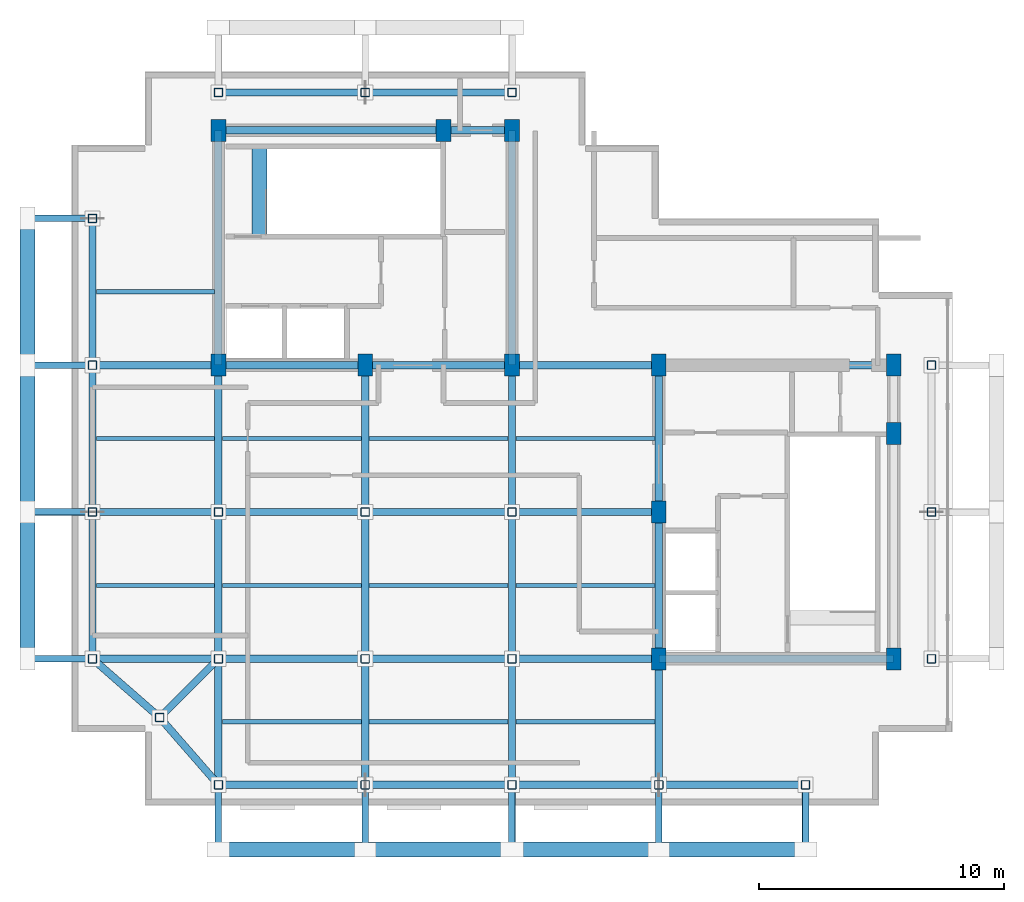
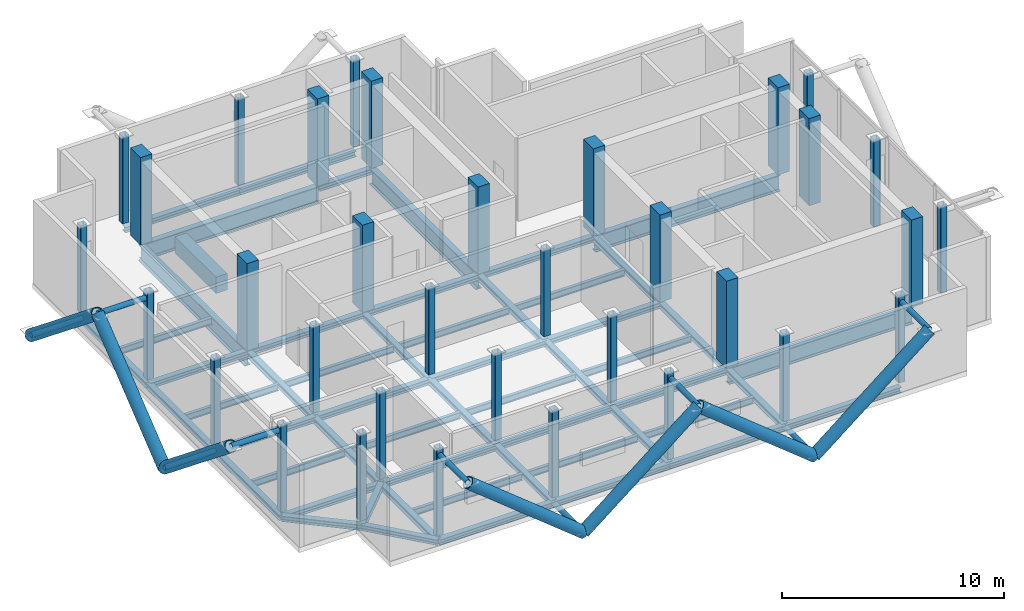
# One storey, part 1 of 6: 55 beams, 34 columns, 16 members.
"""IFC4 building model written with IfcOpenShell, lengths in metres."""

from ifc_helpers import new_model, si_unit, direction, frame, origin, origin_2d, place, context, subcontext, project, spatial, rectangle, hollow_rectangle, hollow_circle, i_section, extrude, material, material_profile, profile_set, type_object, element, save


model = new_model("IFC4")

# Units and contexts
model_context = context("Model", 3, precision=1e-05, world=origin(), true_north=direction((0.0, 1.0)))
body_context = subcontext(model_context, "Body", "Model", "MODEL_VIEW")
ifc_project = project(units=[si_unit("LENGTHUNIT", "METRE"), si_unit("AREAUNIT", "SQUARE_METRE"), si_unit("VOLUMEUNIT", "CUBIC_METRE"), si_unit("PLANEANGLEUNIT", "RADIAN"), si_unit("MASSUNIT", "GRAM", prefix="KILO"), si_unit("THERMODYNAMICTEMPERATUREUNIT", "KELVIN"), si_unit("POWERUNIT", "WATT")], contexts=[model_context])

# Site, building, storey
site_placement = place(None, origin())
site = spatial("IfcSite", under=ifc_project, at=site_placement, CompositionType="ELEMENT")
building_placement = place(site_placement, origin())
building = spatial("IfcBuilding", under=site, at=building_placement, Name="Svarakhadi Broadcast Tower", CompositionType="ELEMENT")
storey_placement = place(building_placement, frame((0.0, 0.0, 305.699951171875)))
storey = spatial("IfcBuildingStorey", under=building, at=storey_placement, Name="L77", CompositionType="ELEMENT", Elevation=305.699951171875)

# Columns
ifc_material_1 = material(Name="Concrete C50/60 (IS 456 M60)", Category="concrete")
ifc_material_profile_1 = material_profile(ifc_material_1, rectangle(XDim=0.60009765625, YDim=0.89990234375, at=origin_2d()), Name="RC 600x900")
ifc_profile_set_1 = profile_set([ifc_material_profile_1], Name="Concrete C50/60 (IS 456 M60)")
column_type_1 = type_object("IfcColumnType", Name="Col_RC600", PredefinedType="COLUMN", material=ifc_profile_set_1)
for number, where, z_axis, x_axis, name in (
    (1, (6.0, 18.0, 0.0), (0.0, 0.0, 1.0), (1.0, 0.0, 0.0), "L77 Column CW1"),
    (2, (12.0, 18.0, 0.0), (0.0, 0.0, 1.0), (1.0, 0.0, 0.0), "L77 Column CW2"),
    (3, (18.0, 18.0, 0.0), (0.0, 0.0, 1.0), (1.0, 0.0, 0.0), "L77 Column CW3"),
    (4, (6.0, 27.60009765625, 0.0), (0.0, 0.0, 1.0), (1.0, 0.0, 0.0), "L77 Column CW4"),
    (5, (15.199951171875, 27.60009765625, 0.0), (0.0, 0.0, 1.0), (1.0, 0.0, 0.0), "L77 Column CW5"),
    (6, (18.0, 27.60009765625, 0.0), (0.0, 0.0, 1.0), (1.0, 0.0, 0.0), "L77 Column CW6"),
    (7, (24.0, 6.0, 0.0), (0.0, 0.0, 1.0), (1.0, 0.0, 0.0), "L77 Column CE1"),
    (8, (24.0, 12.0, 0.0), (0.0, 0.0, 1.0), (1.0, 0.0, 0.0), "L77 Column CE2"),
    (9, (24.0, 18.0, 0.0), (0.0, 0.0, 1.0), (1.0, 0.0, 0.0), "L77 Column CE3"),
    (10, (33.60009765625, 6.0, 0.0), (0.0, 0.0, 1.0), (1.0, 0.0, 0.0), "L77 Column CE4"),
    (11, (33.60009765625, 15.199951171875, 0.0), (0.0, 0.0, 1.0), (1.0, 0.0, 0.0), "L77 Column CE5"),
    (12, (33.60009765625, 18.0, 0.0), (0.0, 0.0, 1.0), (1.0, 0.0, 0.0), "L77 Column CE6"),
):
    element("IfcColumn", number, at=place(storey_placement, frame(where, z_axis=z_axis, x_axis=x_axis)), inside=storey, type_object=column_type_1, Name=name, PredefinedType="COLUMN", context=body_context, shape_type="SweptSolid", body=[
        extrude(rectangle(XDim=0.60009765625, YDim=0.89990234375, at=origin_2d()), origin(), (0.0, 0.0, 1.0), 4.800048828125),
    ])
ifc_material_2 = material(Name="Steel S460ML (IS 2062 E450BR)", Category="steel")
ifc_material_profile_2 = material_profile(ifc_material_2, hollow_rectangle(XDim=0.35009765625, YDim=0.35009765625, WallThickness=0.01611328125, InnerFilletRadius=0.01611328125, OuterFilletRadius=0.031982421875, at=origin_2d()), Name="SHS 350x350x16")
ifc_profile_set_2 = profile_set([ifc_material_profile_2], Name="Steel S460ML (IS 2062 E450BR)")
column_type_2 = type_object("IfcColumnType", Name="Col_SHS350", PredefinedType="COLUMN", material=ifc_profile_set_2)
for number, where, z_axis, x_axis, name in (
    (13, (3.60009765625, 3.60009765625, 0.0), (0.0, 0.0, 1.0), (1.0, 0.0, 0.0), "L77 Column G01"),
    (14, (0.85009765625, 6.0, 0.0), (0.0, 0.0, 1.0), (1.0, 0.0, 0.0), "L77 Column G03"),
    (15, (0.85009765625, 12.0, 0.0), (0.0, 0.0, 1.0), (1.0, 0.0, 0.0), "L77 Column G04"),
    (16, (0.85009765625, 18.0, 0.0), (0.0, 0.0, 1.0), (1.0, 0.0, 0.0), "L77 Column G05"),
    (17, (0.85009765625, 24.0, 0.0), (0.0, 0.0, 1.0), (1.0, 0.0, 0.0), "L77 Column G06"),
    (18, (6.0, 0.85009765625, 0.0), (0.0, 0.0, 1.0), (1.0, 0.0, 0.0), "L77 Column G11"),
    (19, (6.0, 6.0, 0.0), (0.0, 0.0, 1.0), (1.0, 0.0, 0.0), "L77 Column G12"),
    (20, (6.0, 12.0, 0.0), (0.0, 0.0, 1.0), (1.0, 0.0, 0.0), "L77 Column G13"),
    (21, (6.0, 29.14990234375, 0.0), (0.0, 0.0, 1.0), (1.0, 0.0, 0.0), "L77 Column G14"),
    (22, (12.0, 0.85009765625, 0.0), (0.0, 0.0, 1.0), (1.0, 0.0, 0.0), "L77 Column G18"),
    (23, (12.0, 6.0, 0.0), (0.0, 0.0, 1.0), (1.0, 0.0, 0.0), "L77 Column G19"),
    (24, (12.0, 12.0, 0.0), (0.0, 0.0, 1.0), (1.0, 0.0, 0.0), "L77 Column G20"),
    (25, (12.0, 29.14990234375, 0.0), (0.0, 0.0, 1.0), (1.0, 0.0, 0.0), "L77 Column G21"),
    (26, (18.0, 0.85009765625, 0.0), (0.0, 0.0, 1.0), (1.0, 0.0, 0.0), "L77 Column G25"),
    (27, (18.0, 6.0, 0.0), (0.0, 0.0, 1.0), (1.0, 0.0, 0.0), "L77 Column G26"),
    (28, (18.0, 12.0, 0.0), (0.0, 0.0, 1.0), (1.0, 0.0, 0.0), "L77 Column G27"),
    (29, (18.0, 29.14990234375, 0.0), (0.0, 0.0, 1.0), (1.0, 0.0, 0.0), "L77 Column G28"),
    (30, (24.0, 0.85009765625, 0.0), (0.0, 0.0, 1.0), (1.0, 0.0, 0.0), "L77 Column G32"),
    (31, (30.0, 0.85009765625, 0.0), (0.0, 0.0, 1.0), (1.0, 0.0, 0.0), "L77 Column G36"),
    (32, (35.14990234375, 6.0, 0.0), (0.0, 0.0, 1.0), (1.0, 0.0, 0.0), "L77 Column G39"),
    (33, (35.14990234375, 12.0, 0.0), (0.0, 0.0, 1.0), (1.0, 0.0, 0.0), "L77 Column G40"),
    (34, (35.14990234375, 18.0, 0.0), (0.0, 0.0, 1.0), (1.0, 0.0, 0.0), "L77 Column G41"),
):
    element("IfcColumn", number, at=place(storey_placement, frame(where, z_axis=z_axis, x_axis=x_axis)), inside=storey, type_object=column_type_2, Name=name, PredefinedType="COLUMN", context=body_context, shape_type="SweptSolid", body=[
        extrude(hollow_rectangle(XDim=0.35009765625, YDim=0.35009765625, WallThickness=0.01611328125, InnerFilletRadius=0.01611328125, OuterFilletRadius=0.031982421875, at=origin_2d()), origin(), (0.0, 0.0, 1.0), 4.800048828125),
    ])

# Beams
ifc_material_3 = material(Name="Steel S355J2 (IS 2062 E350C)", Category="steel")
ifc_material_profile_3 = material_profile(ifc_material_3, i_section(OverallWidth=0.169921875, OverallDepth=0.360107421875, WebThickness=0.008056640625, FlangeThickness=0.0126953125, FilletRadius=0.01806640625, at=origin_2d()), Name="NPB 360x170x57")
ifc_profile_set_3 = profile_set([ifc_material_profile_3], Name="Steel S355J2 (IS 2062 E350C)")
beam_type_1 = type_object("IfcBeamType", Name="Beam_NPB360", PredefinedType="BEAM", material=ifc_profile_set_3)
for number, where, z_axis, x_axis, name in (
    (35, (1.010009765625, 9.0, -0.454833984375), (1.0, 0.0, 0.0), (0.0, 1.0, 0.0), "L77 Secondary Composite Beam SB001"),
    (36, (1.010009765625, 15.0, -0.454833984375), (1.0, 0.0, 0.0), (0.0, 1.0, 0.0), "L77 Secondary Composite Beam SB002"),
    (37, (1.010009765625, 21.0, -0.454833984375), (1.0, 0.0, 0.0), (0.0, 1.0, 0.0), "L77 Secondary Composite Beam SB003"),
):
    element("IfcBeam", number, at=place(storey_placement, frame(where, z_axis=z_axis, x_axis=x_axis)), inside=storey, type_object=beam_type_1, Name=name, PredefinedType="BEAM", context=body_context, shape_type="SweptSolid", body=[
        extrude(i_section(OverallWidth=0.169921875, OverallDepth=0.360107421875, WebThickness=0.008056640625, FlangeThickness=0.0126953125, FilletRadius=0.01806640625, at=origin_2d()), origin(), (0.0, 0.0, 1.0), 4.830078125),
    ])
for number, where, z_axis, x_axis, name in (
    (38, (6.159912109375, 3.425048828125, -0.454833984375), (1.0, 0.0, 0.0), (0.0, 1.0, 0.0), "L77 Secondary Composite Beam SB004"),
    (39, (6.159912109375, 9.0, -0.454833984375), (1.0, 0.0, 0.0), (0.0, 1.0, 0.0), "L77 Secondary Composite Beam SB005"),
    (40, (6.159912109375, 15.0, -0.454833984375), (1.0, 0.0, 0.0), (0.0, 1.0, 0.0), "L77 Secondary Composite Beam SB006"),
    (41, (12.159912109375, 3.425048828125, -0.454833984375), (1.0, 0.0, 0.0), (0.0, 1.0, 0.0), "L77 Secondary Composite Beam SB007"),
    (42, (12.159912109375, 9.0, -0.454833984375), (1.0, 0.0, 0.0), (0.0, 1.0, 0.0), "L77 Secondary Composite Beam SB008"),
    (43, (12.159912109375, 15.0, -0.454833984375), (1.0, 0.0, 0.0), (0.0, 1.0, 0.0), "L77 Secondary Composite Beam SB009"),
    (44, (18.159912109375, 3.425048828125, -0.454833984375), (1.0, 0.0, 0.0), (0.0, 1.0, 0.0), "L77 Secondary Composite Beam SB010"),
    (45, (18.159912109375, 9.0, -0.454833984375), (1.0, 0.0, 0.0), (0.0, 1.0, 0.0), "L77 Secondary Composite Beam SB011"),
    (46, (18.159912109375, 15.0, -0.454833984375), (1.0, 0.0, 0.0), (0.0, 1.0, 0.0), "L77 Secondary Composite Beam SB012"),
):
    element("IfcBeam", number, at=place(storey_placement, frame(where, z_axis=z_axis, x_axis=x_axis)), inside=storey, type_object=beam_type_1, Name=name, PredefinedType="BEAM", context=body_context, shape_type="SweptSolid", body=[
        extrude(i_section(OverallWidth=0.169921875, OverallDepth=0.360107421875, WebThickness=0.008056640625, FlangeThickness=0.0126953125, FilletRadius=0.01806640625, at=origin_2d()), origin(), (0.0, 0.0, 1.0), 5.68017578125),
    ])
ifc_material_profile_4 = material_profile(ifc_material_1, rectangle(XDim=0.60009765625, YDim=0.89990234375, at=origin_2d()), Name="RC 600x900")
ifc_profile_set_4 = profile_set([ifc_material_profile_4], Name="Concrete C50/60 (IS 456 M60)")
beam_type_2 = type_object("IfcBeamType", Name="Coupling_RC600", PredefinedType="USERDEFINED", material=ifc_profile_set_4)
beam_1_placement = place(storey_placement, frame((7.679931640625, 23.260009765625, -0.449951171875), z_axis=(0.0, 1.0, 0.0), x_axis=(-1.0, 0.0, 0.0)))
element("IfcBeam", 47, at=beam_1_placement, inside=storey, type_object=beam_type_2, Name="L77 Stair ST-01 Landing Throat Trimmer Beam CB-01", ObjectType="GIRDER", PredefinedType="USERDEFINED", context=body_context, shape_type="SweptSolid", body=[
    extrude(rectangle(XDim=0.60009765625, YDim=0.89990234375, at=origin_2d()), origin(), (0.0, 0.0, 1.0), 3.679931640625),
])

# Members
ifc_material_profile_5 = material_profile(ifc_material_2, hollow_circle(Radius=0.304931640625, WallThickness=0.030029296875, at=origin_2d()), Name="CHS 610x30")
ifc_profile_set_5 = profile_set([ifc_material_profile_5], Name="Steel S460ML (IS 2062 E450BR)")
member_type_1 = type_object("IfcMemberType", Name="Exo_Brace_CHS610", PredefinedType="BRACE", material=ifc_profile_set_5)
for number, where, z_axis, x_axis, name in (
    (48, (12.0, -1.800048828125, -0.411376953125), (-0.779285489212, 0.0, 0.6266690724), (0.0, -1.0, 0.0), "L77 Exposed Bronze Exoskeleton Diagonal S01"),
    (49, (12.0, -1.800048828125, -0.411376953125), (0.779285489212, 0.0, 0.6266690724), (0.0, 1.0, 0.0), "L77 Exposed Bronze Exoskeleton Diagonal S02"),
    (50, (24.0, -1.800048828125, -0.411376953125), (-0.779285489212, 0.0, 0.6266690724), (0.0, -1.0, 0.0), "L77 Exposed Bronze Exoskeleton Diagonal S03"),
    (51, (24.0, -1.800048828125, -0.411376953125), (0.779285489212, 0.0, 0.6266690724), (0.0, 1.0, 0.0), "L77 Exposed Bronze Exoskeleton Diagonal S04"),
    (52, (-1.800048828125, 12.0, -0.411376953125), (0.0, -0.779285489212, 0.6266690724), (1.0, 0.0, 0.0), "L77 Exposed Bronze Exoskeleton Diagonal W05"),
    (53, (-1.800048828125, 12.0, -0.411376953125), (0.0, 0.779285489212, 0.6266690724), (-1.0, 0.0, 0.0), "L77 Exposed Bronze Exoskeleton Diagonal W06"),
    (54, (-1.800048828125, 24.0, -0.411376953125), (0.0, -0.779285489212, 0.6266690724), (1.0, 0.0, 0.0), "L77 Exposed Bronze Exoskeleton Diagonal W07"),
):
    element("IfcMember", number, at=place(storey_placement, frame(where, z_axis=z_axis, x_axis=x_axis)), inside=storey, type_object=member_type_1, Name=name, PredefinedType="BRACE", context=body_context, shape_type="SweptSolid", body=[
        extrude(hollow_circle(Radius=0.304931640625, WallThickness=0.030029296875, at=origin_2d()), origin(), (0.0, 0.0, 1.0), 7.699462890625),
    ])
ifc_material_profile_6 = material_profile(ifc_material_2, hollow_circle(Radius=0.136474609375, WallThickness=0.012451171875, at=origin_2d()), Name="CHS 273x12.5")
ifc_profile_set_6 = profile_set([ifc_material_profile_6], Name="Steel S460ML (IS 2062 E450BR)")
member_type_2 = type_object("IfcMemberType", Name="Exo_Radial_Strut_Z3", PredefinedType="STRUT", material=ifc_profile_set_6)
for number, where, z_axis, x_axis, name in (
    (55, (12.0, -1.800048828125, -0.411376953125), (0.0, 1.0, 0.0), (-1.0, 0.0, 0.0), "L77 Exoskeleton Radial Tie Strut S01"),
    (56, (24.0, -1.800048828125, -0.411376953125), (0.0, 1.0, 0.0), (-1.0, 0.0, 0.0), "L77 Exoskeleton Radial Tie Strut S02"),
    (57, (6.0, -1.800048828125, 4.41357421875), (0.0, 1.0, 0.0), (-1.0, 0.0, 0.0), "L77 Exoskeleton Setback Top Radial Tie S00"),
    (58, (18.0, -1.800048828125, 4.41357421875), (0.0, 1.0, 0.0), (-1.0, 0.0, 0.0), "L77 Exoskeleton Setback Top Radial Tie S02"),
    (59, (30.0, -1.800048828125, 4.41357421875), (0.0, 1.0, 0.0), (-1.0, 0.0, 0.0), "L77 Exoskeleton Setback Top Radial Tie S04"),
    (60, (-1.800048828125, 12.0, -0.411376953125), (1.0, 0.0, 0.0), (0.0, 1.0, 0.0), "L77 Exoskeleton Radial Tie Strut W03"),
    (61, (-1.800048828125, 24.0, -0.411376953125), (1.0, 0.0, 0.0), (0.0, 1.0, 0.0), "L77 Exoskeleton Radial Tie Strut W04"),
    (62, (-1.800048828125, 6.0, 4.41357421875), (1.0, 0.0, 0.0), (0.0, 1.0, 0.0), "L77 Exoskeleton Setback Top Radial Tie W00"),
    (63, (-1.800048828125, 18.0, 4.41357421875), (1.0, 0.0, 0.0), (0.0, 1.0, 0.0), "L77 Exoskeleton Setback Top Radial Tie W02"),
):
    element("IfcMember", number, at=place(storey_placement, frame(where, z_axis=z_axis, x_axis=x_axis)), inside=storey, type_object=member_type_2, Name=name, PredefinedType="STRUT", context=body_context, shape_type="SweptSolid", body=[
        extrude(hollow_circle(Radius=0.136474609375, WallThickness=0.012451171875, at=origin_2d()), origin(), (0.0, 0.0, 1.0), 2.650146484375),
    ])

# Beams
ifc_material_profile_7 = material_profile(ifc_material_3, i_section(OverallWidth=0.300048828125, OverallDepth=0.300048828125, WebThickness=0.010986328125, FlangeThickness=0.01904296875, FilletRadius=0.027099609375, at=origin_2d()), Name="WPB 300x300x117")
ifc_profile_set_7 = profile_set([ifc_material_profile_7], Name="Steel S355J2 (IS 2062 E350C)")
beam_type_3 = type_object("IfcBeamType", Name="Girder_WPB300", PredefinedType="USERDEFINED", material=ifc_profile_set_7)
beam_2_placement = place(storey_placement, frame((3.60009765625, 3.60009765625, -0.425048828125), z_axis=(0.707106781187, 0.707106781187, 0.0), x_axis=(-0.707106781187, 0.707106781187, 0.0)))
element("IfcBeam", 64, at=beam_2_placement, inside=storey, type_object=beam_type_3, Name="L77 Corner Tie Girder G001", ObjectType="GIRDER", PredefinedType="USERDEFINED", context=body_context, shape_type="SweptSolid", body=[
    extrude(i_section(OverallWidth=0.300048828125, OverallDepth=0.300048828125, WebThickness=0.010986328125, FlangeThickness=0.01904296875, FilletRadius=0.027099609375, at=origin_2d()), origin(), (0.0, 0.0, 1.0), 3.39404296875),
])
for number, where, z_axis, x_axis, name in (
    (65, (3.60009765625, 3.60009765625, -0.425048828125), (-0.753437912176, 0.657519058655, 0.0), (-0.657519058655, -0.753437912176, 0.0), "L77 Corner Tie Girder G002"),
    (66, (3.60009765625, 3.60009765625, -0.425048828125), (0.657519058655, -0.753437912176, 0.0), (0.753437912176, 0.657519058655, 0.0), "L77 Corner Tie Girder G003"),
):
    element("IfcBeam", number, at=place(storey_placement, frame(where, z_axis=z_axis, x_axis=x_axis)), inside=storey, type_object=beam_type_3, Name=name, ObjectType="GIRDER", PredefinedType="USERDEFINED", context=body_context, shape_type="SweptSolid", body=[
        extrude(i_section(OverallWidth=0.300048828125, OverallDepth=0.300048828125, WebThickness=0.010986328125, FlangeThickness=0.01904296875, FilletRadius=0.027099609375, at=origin_2d()), origin(), (0.0, 0.0, 1.0), 3.64990234375),
    ])
for number, where, z_axis, x_axis, name in (
    (67, (6.0, 0.85009765625, -0.425048828125), (1.0, 0.0, 0.0), (0.0, 1.0, 0.0), "L77 Primary E-W Girder G004"),
    (68, (12.0, 0.85009765625, -0.425048828125), (1.0, 0.0, 0.0), (0.0, 1.0, 0.0), "L77 Primary E-W Girder G005"),
    (69, (18.0, 0.85009765625, -0.425048828125), (1.0, 0.0, 0.0), (0.0, 1.0, 0.0), "L77 Primary E-W Girder G006"),
    (70, (24.0, 0.85009765625, -0.425048828125), (1.0, 0.0, 0.0), (0.0, 1.0, 0.0), "L77 Primary E-W Girder G007"),
):
    element("IfcBeam", number, at=place(storey_placement, frame(where, z_axis=z_axis, x_axis=x_axis)), inside=storey, type_object=beam_type_3, Name=name, ObjectType="GIRDER", PredefinedType="USERDEFINED", context=body_context, shape_type="SweptSolid", body=[
        extrude(i_section(OverallWidth=0.300048828125, OverallDepth=0.300048828125, WebThickness=0.010986328125, FlangeThickness=0.01904296875, FilletRadius=0.027099609375, at=origin_2d()), origin(), (0.0, 0.0, 1.0), 6.0),
    ])
beam_3_placement = place(storey_placement, frame((0.85009765625, 6.0, -0.425048828125), z_axis=(1.0, 0.0, 0.0), x_axis=(0.0, 1.0, 0.0)))
element("IfcBeam", 71, at=beam_3_placement, inside=storey, type_object=beam_type_3, Name="L77 Primary E-W Girder G008", ObjectType="GIRDER", PredefinedType="USERDEFINED", context=body_context, shape_type="SweptSolid", body=[
    extrude(i_section(OverallWidth=0.300048828125, OverallDepth=0.300048828125, WebThickness=0.010986328125, FlangeThickness=0.01904296875, FilletRadius=0.027099609375, at=origin_2d()), origin(), (0.0, 0.0, 1.0), 5.14990234375),
])
for number, where, z_axis, x_axis, name in (
    (72, (6.0, 6.0, -0.425048828125), (1.0, 0.0, 0.0), (0.0, 1.0, 0.0), "L77 Primary E-W Girder G009"),
    (73, (12.0, 6.0, -0.425048828125), (1.0, 0.0, 0.0), (0.0, 1.0, 0.0), "L77 Primary E-W Girder G010"),
    (74, (18.0, 6.0, -0.425048828125), (1.0, 0.0, 0.0), (0.0, 1.0, 0.0), "L77 Primary E-W Girder G011"),
):
    element("IfcBeam", number, at=place(storey_placement, frame(where, z_axis=z_axis, x_axis=x_axis)), inside=storey, type_object=beam_type_3, Name=name, ObjectType="GIRDER", PredefinedType="USERDEFINED", context=body_context, shape_type="SweptSolid", body=[
        extrude(i_section(OverallWidth=0.300048828125, OverallDepth=0.300048828125, WebThickness=0.010986328125, FlangeThickness=0.01904296875, FilletRadius=0.027099609375, at=origin_2d()), origin(), (0.0, 0.0, 1.0), 6.0),
    ])
beam_4_placement = place(storey_placement, frame((0.85009765625, 12.0, -0.425048828125), z_axis=(1.0, 0.0, 0.0), x_axis=(0.0, 1.0, 0.0)))
element("IfcBeam", 75, at=beam_4_placement, inside=storey, type_object=beam_type_3, Name="L77 Primary E-W Girder G013", ObjectType="GIRDER", PredefinedType="USERDEFINED", context=body_context, shape_type="SweptSolid", body=[
    extrude(i_section(OverallWidth=0.300048828125, OverallDepth=0.300048828125, WebThickness=0.010986328125, FlangeThickness=0.01904296875, FilletRadius=0.027099609375, at=origin_2d()), origin(), (0.0, 0.0, 1.0), 5.14990234375),
])
for number, where, z_axis, x_axis, name in (
    (76, (6.0, 12.0, -0.425048828125), (1.0, 0.0, 0.0), (0.0, 1.0, 0.0), "L77 Primary E-W Girder G014"),
    (77, (12.0, 12.0, -0.425048828125), (1.0, 0.0, 0.0), (0.0, 1.0, 0.0), "L77 Primary E-W Girder G015"),
    (78, (18.0, 12.0, -0.425048828125), (1.0, 0.0, 0.0), (0.0, 1.0, 0.0), "L77 Primary E-W Girder G016"),
):
    element("IfcBeam", number, at=place(storey_placement, frame(where, z_axis=z_axis, x_axis=x_axis)), inside=storey, type_object=beam_type_3, Name=name, ObjectType="GIRDER", PredefinedType="USERDEFINED", context=body_context, shape_type="SweptSolid", body=[
        extrude(i_section(OverallWidth=0.300048828125, OverallDepth=0.300048828125, WebThickness=0.010986328125, FlangeThickness=0.01904296875, FilletRadius=0.027099609375, at=origin_2d()), origin(), (0.0, 0.0, 1.0), 6.0),
    ])
beam_5_placement = place(storey_placement, frame((0.85009765625, 18.0, -0.425048828125), z_axis=(1.0, 0.0, 0.0), x_axis=(0.0, 1.0, 0.0)))
element("IfcBeam", 79, at=beam_5_placement, inside=storey, type_object=beam_type_3, Name="L77 Primary E-W Girder G017", ObjectType="GIRDER", PredefinedType="USERDEFINED", context=body_context, shape_type="SweptSolid", body=[
    extrude(i_section(OverallWidth=0.300048828125, OverallDepth=0.300048828125, WebThickness=0.010986328125, FlangeThickness=0.01904296875, FilletRadius=0.027099609375, at=origin_2d()), origin(), (0.0, 0.0, 1.0), 5.14990234375),
])
for number, where, z_axis, x_axis, name in (
    (80, (6.0, 18.0, -0.425048828125), (1.0, 0.0, 0.0), (0.0, 1.0, 0.0), "L77 Primary E-W Girder G018"),
    (81, (12.0, 18.0, -0.425048828125), (1.0, 0.0, 0.0), (0.0, 1.0, 0.0), "L77 Primary E-W Girder G019"),
    (82, (18.0, 18.0, -0.425048828125), (1.0, 0.0, 0.0), (0.0, 1.0, 0.0), "L77 Primary E-W Girder G020"),
):
    element("IfcBeam", number, at=place(storey_placement, frame(where, z_axis=z_axis, x_axis=x_axis)), inside=storey, type_object=beam_type_3, Name=name, ObjectType="GIRDER", PredefinedType="USERDEFINED", context=body_context, shape_type="SweptSolid", body=[
        extrude(i_section(OverallWidth=0.300048828125, OverallDepth=0.300048828125, WebThickness=0.010986328125, FlangeThickness=0.01904296875, FilletRadius=0.027099609375, at=origin_2d()), origin(), (0.0, 0.0, 1.0), 6.0),
    ])
beam_6_placement = place(storey_placement, frame((15.199951171875, 27.60009765625, -0.425048828125), z_axis=(1.0, 0.0, 0.0), x_axis=(0.0, 1.0, 0.0)))
element("IfcBeam", 83, at=beam_6_placement, inside=storey, type_object=beam_type_3, Name="L77 Primary E-W Girder G023", ObjectType="GIRDER", PredefinedType="USERDEFINED", context=body_context, shape_type="SweptSolid", body=[
    extrude(i_section(OverallWidth=0.300048828125, OverallDepth=0.300048828125, WebThickness=0.010986328125, FlangeThickness=0.01904296875, FilletRadius=0.027099609375, at=origin_2d()), origin(), (0.0, 0.0, 1.0), 2.800048828125),
])
for number, where, z_axis, x_axis, name in (
    (84, (6.0, 29.14990234375, -0.425048828125), (1.0, 0.0, 0.0), (0.0, 1.0, 0.0), "L77 Primary E-W Girder G024"),
    (85, (12.0, 29.14990234375, -0.425048828125), (1.0, 0.0, 0.0), (0.0, 1.0, 0.0), "L77 Primary E-W Girder G025"),
    (86, (0.85009765625, 6.0, -0.425048828125), (0.0, 1.0, 0.0), (-1.0, 0.0, 0.0), "L77 Primary N-S Girder G026"),
    (87, (0.85009765625, 12.0, -0.425048828125), (0.0, 1.0, 0.0), (-1.0, 0.0, 0.0), "L77 Primary N-S Girder G027"),
    (88, (0.85009765625, 18.0, -0.425048828125), (0.0, 1.0, 0.0), (-1.0, 0.0, 0.0), "L77 Primary N-S Girder G028"),
):
    element("IfcBeam", number, at=place(storey_placement, frame(where, z_axis=z_axis, x_axis=x_axis)), inside=storey, type_object=beam_type_3, Name=name, ObjectType="GIRDER", PredefinedType="USERDEFINED", context=body_context, shape_type="SweptSolid", body=[
        extrude(i_section(OverallWidth=0.300048828125, OverallDepth=0.300048828125, WebThickness=0.010986328125, FlangeThickness=0.01904296875, FilletRadius=0.027099609375, at=origin_2d()), origin(), (0.0, 0.0, 1.0), 6.0),
    ])
beam_7_placement = place(storey_placement, frame((6.0, 0.85009765625, -0.425048828125), z_axis=(0.0, 1.0, 0.0), x_axis=(-1.0, 0.0, 0.0)))
element("IfcBeam", 89, at=beam_7_placement, inside=storey, type_object=beam_type_3, Name="L77 Primary N-S Girder G029", ObjectType="GIRDER", PredefinedType="USERDEFINED", context=body_context, shape_type="SweptSolid", body=[
    extrude(i_section(OverallWidth=0.300048828125, OverallDepth=0.300048828125, WebThickness=0.010986328125, FlangeThickness=0.01904296875, FilletRadius=0.027099609375, at=origin_2d()), origin(), (0.0, 0.0, 1.0), 5.14990234375),
])
for number, where, z_axis, x_axis, name in (
    (90, (6.0, 6.0, -0.425048828125), (0.0, 1.0, 0.0), (-1.0, 0.0, 0.0), "L77 Primary N-S Girder G030"),
    (91, (6.0, 12.0, -0.425048828125), (0.0, 1.0, 0.0), (-1.0, 0.0, 0.0), "L77 Primary N-S Girder G031"),
):
    element("IfcBeam", number, at=place(storey_placement, frame(where, z_axis=z_axis, x_axis=x_axis)), inside=storey, type_object=beam_type_3, Name=name, ObjectType="GIRDER", PredefinedType="USERDEFINED", context=body_context, shape_type="SweptSolid", body=[
        extrude(i_section(OverallWidth=0.300048828125, OverallDepth=0.300048828125, WebThickness=0.010986328125, FlangeThickness=0.01904296875, FilletRadius=0.027099609375, at=origin_2d()), origin(), (0.0, 0.0, 1.0), 6.0),
    ])
beam_8_placement = place(storey_placement, frame((12.0, 0.85009765625, -0.425048828125), z_axis=(0.0, 1.0, 0.0), x_axis=(-1.0, 0.0, 0.0)))
element("IfcBeam", 92, at=beam_8_placement, inside=storey, type_object=beam_type_3, Name="L77 Primary N-S Girder G033", ObjectType="GIRDER", PredefinedType="USERDEFINED", context=body_context, shape_type="SweptSolid", body=[
    extrude(i_section(OverallWidth=0.300048828125, OverallDepth=0.300048828125, WebThickness=0.010986328125, FlangeThickness=0.01904296875, FilletRadius=0.027099609375, at=origin_2d()), origin(), (0.0, 0.0, 1.0), 5.14990234375),
])
for number, where, z_axis, x_axis, name in (
    (93, (12.0, 6.0, -0.425048828125), (0.0, 1.0, 0.0), (-1.0, 0.0, 0.0), "L77 Primary N-S Girder G034"),
    (94, (12.0, 12.0, -0.425048828125), (0.0, 1.0, 0.0), (-1.0, 0.0, 0.0), "L77 Primary N-S Girder G035"),
):
    element("IfcBeam", number, at=place(storey_placement, frame(where, z_axis=z_axis, x_axis=x_axis)), inside=storey, type_object=beam_type_3, Name=name, ObjectType="GIRDER", PredefinedType="USERDEFINED", context=body_context, shape_type="SweptSolid", body=[
        extrude(i_section(OverallWidth=0.300048828125, OverallDepth=0.300048828125, WebThickness=0.010986328125, FlangeThickness=0.01904296875, FilletRadius=0.027099609375, at=origin_2d()), origin(), (0.0, 0.0, 1.0), 6.0),
    ])
beam_9_placement = place(storey_placement, frame((18.0, 0.85009765625, -0.425048828125), z_axis=(0.0, 1.0, 0.0), x_axis=(-1.0, 0.0, 0.0)))
element("IfcBeam", 95, at=beam_9_placement, inside=storey, type_object=beam_type_3, Name="L77 Primary N-S Girder G036", ObjectType="GIRDER", PredefinedType="USERDEFINED", context=body_context, shape_type="SweptSolid", body=[
    extrude(i_section(OverallWidth=0.300048828125, OverallDepth=0.300048828125, WebThickness=0.010986328125, FlangeThickness=0.01904296875, FilletRadius=0.027099609375, at=origin_2d()), origin(), (0.0, 0.0, 1.0), 5.14990234375),
])
for number, where, z_axis, x_axis, name in (
    (96, (18.0, 6.0, -0.425048828125), (0.0, 1.0, 0.0), (-1.0, 0.0, 0.0), "L77 Primary N-S Girder G037"),
    (97, (18.0, 12.0, -0.425048828125), (0.0, 1.0, 0.0), (-1.0, 0.0, 0.0), "L77 Primary N-S Girder G038"),
):
    element("IfcBeam", number, at=place(storey_placement, frame(where, z_axis=z_axis, x_axis=x_axis)), inside=storey, type_object=beam_type_3, Name=name, ObjectType="GIRDER", PredefinedType="USERDEFINED", context=body_context, shape_type="SweptSolid", body=[
        extrude(i_section(OverallWidth=0.300048828125, OverallDepth=0.300048828125, WebThickness=0.010986328125, FlangeThickness=0.01904296875, FilletRadius=0.027099609375, at=origin_2d()), origin(), (0.0, 0.0, 1.0), 6.0),
    ])
beam_10_placement = place(storey_placement, frame((24.0, 0.85009765625, -0.425048828125), z_axis=(0.0, 1.0, 0.0), x_axis=(-1.0, 0.0, 0.0)))
element("IfcBeam", 98, at=beam_10_placement, inside=storey, type_object=beam_type_3, Name="L77 Primary N-S Girder G040", ObjectType="GIRDER", PredefinedType="USERDEFINED", context=body_context, shape_type="SweptSolid", body=[
    extrude(i_section(OverallWidth=0.300048828125, OverallDepth=0.300048828125, WebThickness=0.010986328125, FlangeThickness=0.01904296875, FilletRadius=0.027099609375, at=origin_2d()), origin(), (0.0, 0.0, 1.0), 5.14990234375),
])
for number, where, z_axis, x_axis, name in (
    (99, (24.0, 6.0, -0.425048828125), (0.0, 1.0, 0.0), (-1.0, 0.0, 0.0), "L77 Primary N-S Girder G041"),
    (100, (24.0, 12.0, -0.425048828125), (0.0, 1.0, 0.0), (-1.0, 0.0, 0.0), "L77 Primary N-S Girder G042"),
):
    element("IfcBeam", number, at=place(storey_placement, frame(where, z_axis=z_axis, x_axis=x_axis)), inside=storey, type_object=beam_type_3, Name=name, ObjectType="GIRDER", PredefinedType="USERDEFINED", context=body_context, shape_type="SweptSolid", body=[
        extrude(i_section(OverallWidth=0.300048828125, OverallDepth=0.300048828125, WebThickness=0.010986328125, FlangeThickness=0.01904296875, FilletRadius=0.027099609375, at=origin_2d()), origin(), (0.0, 0.0, 1.0), 6.0),
    ])
ifc_material_profile_8 = material_profile(ifc_material_2, i_section(OverallWidth=0.300048828125, OverallDepth=0.89990234375, WebThickness=0.0185546875, FlangeThickness=0.034912109375, FilletRadius=0.030029296875, at=origin_2d()), Name="WPB 900x300x291")
ifc_profile_set_8 = profile_set([ifc_material_profile_8], Name="Steel S460ML (IS 2062 E450BR)")
beam_type_4 = type_object("IfcBeamType", Name="Girder_WPB900", PredefinedType="USERDEFINED", material=ifc_profile_set_8)
for number, where, z_axis, x_axis, name in (
    (101, (24.0, 6.0, -0.724853515625), (1.0, 0.0, 0.0), (0.0, 1.0, 0.0), "L77 Primary E-W Girder G012"),
    (102, (24.0, 18.0, -0.724853515625), (1.0, 0.0, 0.0), (0.0, 1.0, 0.0), "L77 Primary E-W Girder G021"),
):
    element("IfcBeam", number, at=place(storey_placement, frame(where, z_axis=z_axis, x_axis=x_axis)), inside=storey, type_object=beam_type_4, Name=name, ObjectType="GIRDER", PredefinedType="USERDEFINED", context=body_context, shape_type="SweptSolid", body=[
        extrude(i_section(OverallWidth=0.300048828125, OverallDepth=0.89990234375, WebThickness=0.0185546875, FlangeThickness=0.034912109375, FilletRadius=0.030029296875, at=origin_2d()), origin(), (0.0, 0.0, 1.0), 9.60009765625),
    ])
beam_11_placement = place(storey_placement, frame((6.0, 27.60009765625, -0.724853515625), z_axis=(1.0, 0.0, 0.0), x_axis=(0.0, 1.0, 0.0)))
element("IfcBeam", 103, at=beam_11_placement, inside=storey, type_object=beam_type_4, Name="L77 Primary E-W Girder G022", ObjectType="GIRDER", PredefinedType="USERDEFINED", context=body_context, shape_type="SweptSolid", body=[
    extrude(i_section(OverallWidth=0.300048828125, OverallDepth=0.89990234375, WebThickness=0.0185546875, FlangeThickness=0.034912109375, FilletRadius=0.030029296875, at=origin_2d()), origin(), (0.0, 0.0, 1.0), 9.199951171875),
])
for number, where, z_axis, x_axis, name in (
    (104, (6.0, 18.0, -0.724853515625), (0.0, 1.0, 0.0), (-1.0, 0.0, 0.0), "L77 Primary N-S Girder G032"),
    (105, (18.0, 18.0, -0.724853515625), (0.0, 1.0, 0.0), (-1.0, 0.0, 0.0), "L77 Primary N-S Girder G039"),
):
    element("IfcBeam", number, at=place(storey_placement, frame(where, z_axis=z_axis, x_axis=x_axis)), inside=storey, type_object=beam_type_4, Name=name, ObjectType="GIRDER", PredefinedType="USERDEFINED", context=body_context, shape_type="SweptSolid", body=[
        extrude(i_section(OverallWidth=0.300048828125, OverallDepth=0.89990234375, WebThickness=0.0185546875, FlangeThickness=0.034912109375, FilletRadius=0.030029296875, at=origin_2d()), origin(), (0.0, 0.0, 1.0), 9.60009765625),
    ])

save(model, "model.ifc")
